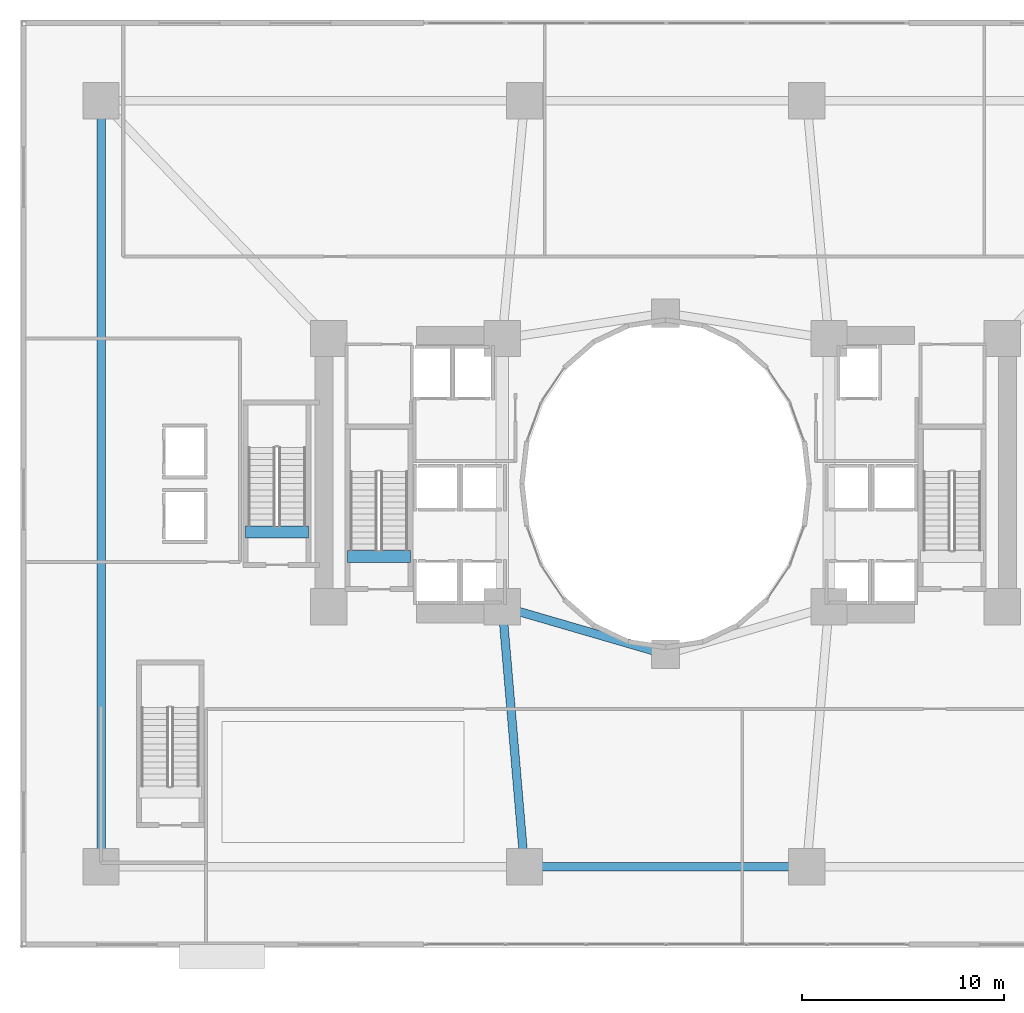
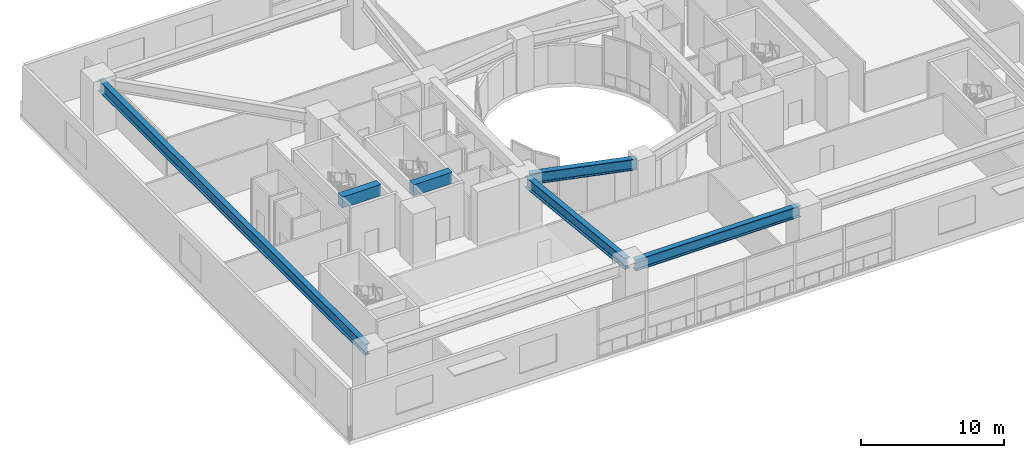
# One storey, part 3 of 25: 6 beams.
"""IFC4 building model written with IfcOpenShell, lengths in metres."""

import ifcopenshell
import ifcopenshell.guid

model = None  # the IFC model being written
_history = None  # IfcOwnerHistory: only IFC2X3 demands one
_inside = {}  # id of a spatial element -> (the spatial element, [elements in it])
_under = {}  # id of a project, library or spatial element -> (it, [spatial elements below it])
_declared = {}  # id of a project -> (the project, [libraries it declares])
_typed = {}  # id of a type object -> (the type object, [elements of that type])
_made_of = {}  # id of a material, layer set ... -> (it, [elements and type objects made of it])


def new_model(schema):
    """Start an empty IFC model of exactly this schema.

    Asked for "IFC4X3", IfcOpenShell would pick the latest addendum, in which some entities
    have other attributes; the version numbers below select the first issue.
    IFC2X3 requires an IfcOwnerHistory on every rooted entity: one is made here for all.
    """
    global model, _history
    if schema == "IFC4X3":
        model = ifcopenshell.file(schema_version=(4, 3, 0, 0))
    else:
        model = ifcopenshell.file(schema=schema)
    _inside.clear()
    _under.clear()
    _declared.clear()
    _typed.clear()
    _made_of.clear()
    _history = None
    if model.schema == "IFC2X3":
        org = make("IfcOrganization", Name="unknown")
        user = make(
            "IfcPersonAndOrganization",
            ThePerson=make("IfcPerson", FamilyName="unknown"),
            TheOrganization=org,
        )
        app = make(
            "IfcApplication",
            ApplicationDeveloper=org,
            Version="unknown",
            ApplicationFullName="unknown",
            ApplicationIdentifier="unknown",
        )
        _history = make(
            "IfcOwnerHistory",
            OwningUser=user,
            OwningApplication=app,
            ChangeAction="ADDED",
            CreationDate=0,
        )
    return model


def make(cls, **values):
    """One entity of the class cls with the attributes given. An attribute that is None is left unset."""
    return model.create_entity(
        cls, **{name: value for name, value in values.items() if value is not None}
    )


def rooted(cls, **values):
    """An entity with a GlobalId (a new one), such as an element, a storey or a relation."""
    return make(cls, GlobalId=ifcopenshell.guid.new(), OwnerHistory=_history, **values)


def si_unit(unit_type, name, prefix=None):
    """IfcSIUnit, for example si_unit("LENGTHUNIT", "METRE", prefix="MILLI")."""
    return make("IfcSIUnit", UnitType=unit_type, Prefix=prefix, Name=name)


def assignment(units):
    """IfcUnitAssignment: the units of a project."""
    return None if units is None else make("IfcUnitAssignment", Units=units)


def point(xyz):
    """IfcCartesianPoint."""
    return None if xyz is None else make("IfcCartesianPoint", Coordinates=xyz)


def direction(xyz):
    """IfcDirection."""
    return None if xyz is None else make("IfcDirection", DirectionRatios=xyz)


def frame(location, z_axis=None, x_axis=None):
    """IfcAxis2Placement3D, a coordinate frame: its origin and axes. An axis left out is left unset."""
    return make(
        "IfcAxis2Placement3D",
        Location=point(location),
        Axis=direction(z_axis),
        RefDirection=direction(x_axis),
    )


def frame_2d(location, x_axis=None):
    """IfcAxis2Placement2D, a coordinate frame in the plane: its origin and x axis."""
    return make(
        "IfcAxis2Placement2D", Location=point(location), RefDirection=direction(x_axis)
    )


def origin():
    """The frame at (0, 0, 0) with its axes left unset."""
    return frame((0.0, 0.0, 0.0))


def origin_2d():
    """The frame at (0, 0) in the plane with its x axis left unset."""
    return frame_2d((0.0, 0.0))


def place(relative_to, where):
    """IfcLocalPlacement: puts the frame where relative to a parent placement (None: the world)."""
    return make(
        "IfcLocalPlacement", PlacementRelTo=relative_to, RelativePlacement=where
    )


def context(
    kind, dimensions, precision=None, world=None, true_north=None, identifier=None
):
    """IfcGeometricRepresentationContext, for example the 3D "Model" context."""
    return make(
        "IfcGeometricRepresentationContext",
        ContextIdentifier=identifier,
        ContextType=kind,
        CoordinateSpaceDimension=dimensions,
        Precision=precision,
        WorldCoordinateSystem=world,
        TrueNorth=true_north,
    )


def subcontext(parent, identifier, kind, view, scale=None):
    """IfcGeometricRepresentationSubContext, for example "Body" below "Model"."""
    return make(
        "IfcGeometricRepresentationSubContext",
        ContextIdentifier=identifier,
        ContextType=kind,
        ParentContext=parent,
        TargetScale=scale,
        TargetView=view,
    )


def project(units=None, contexts=None):
    """IfcProject with its units and contexts."""
    return rooted(
        "IfcProject",
        Name="project",
        RepresentationContexts=contexts,
        UnitsInContext=assignment(units),
    )


def spatial(cls, under=None, at=None, **own):
    """A site, building, storey or space (cls), placed at a placement, below another one or the project."""
    s = rooted(cls, ObjectPlacement=at, **own)
    if under is not None:
        _under.setdefault(under.id(), (under, []))[1].append(s)
    return s


def profile(cls, at=None, kind="AREA", **sizes):
    """A parametric profile (cls). Its sizes go by their IFC names, for example OverallWidth=200.0."""
    return make(cls, ProfileType=kind, Position=at, **sizes)


def rectangle(**sizes):
    """IfcRectangleProfileDef."""
    return profile("IfcRectangleProfileDef", **sizes)


def i_section(**sizes):
    """IfcIShapeProfileDef."""
    return profile("IfcIShapeProfileDef", **sizes)


def extrude(swept, where, along, depth):
    """IfcExtrudedAreaSolid: the profile swept, set in the frame where, extruded along a direction by depth."""
    return make(
        "IfcExtrudedAreaSolid",
        SweptArea=swept,
        Position=where,
        ExtrudedDirection=direction(along),
        Depth=depth,
    )


def shape(context_of_items, identifier, shape_type, items):
    """IfcShapeRepresentation: the items that make up one representation, for example the "Body"."""
    return make(
        "IfcShapeRepresentation",
        ContextOfItems=context_of_items,
        RepresentationIdentifier=identifier,
        RepresentationType=shape_type,
        Items=items,
    )


def material(Name=None, Category=None):
    """IfcMaterial."""
    return make("IfcMaterial", Name=Name, Category=Category)


def material_profile(
    of_material, cross_section, Name=None, Category=None, Priority=None
):
    """IfcMaterialProfile: a cross section and its material."""
    return make(
        "IfcMaterialProfile",
        Name=Name,
        Material=of_material,
        Profile=cross_section,
        Priority=Priority,
        Category=Category,
    )


def profile_set(profiles, Name=None, composite=None):
    """IfcMaterialProfileSet."""
    return make(
        "IfcMaterialProfileSet",
        Name=Name,
        MaterialProfiles=profiles,
        CompositeProfile=composite,
    )


def made_of(thing, what):
    """Note that an element or type object is made of a material, layer set ...; save() writes the relation."""
    if what is not None:
        _made_of.setdefault(what.id(), (what, []))[1].append(thing)
    return thing


def type_object(cls, material=None, **own):
    """A type object (cls), such as IfcWallType, which elements share."""
    return made_of(rooted(cls, **own), material)


def element(
    cls,
    number,
    at=None,
    inside=None,
    cuts=None,
    type_object=None,
    material=None,
    context=None,
    identifier="Body",
    shape_type=None,
    held_by="IfcProductDefinitionShape",
    body=None,
    shapes=None,
    **own,
):
    """One element of the class cls, such as IfcWall. Its Tag is "e" and its number.

    at: its placement. inside: the storey or other place that contains it. cuts: it is an
    opening in that element (IfcRelVoidsElement). A single representation is given by context,
    identifier, shape_type and body (its items); several are given by shapes. held_by: the class
    of the entity that holds the representations. save() writes the other relations.
    """
    e = rooted(cls, Tag="e%d" % number, ObjectPlacement=at, **own)
    if body is not None:
        shapes = [shape(context, identifier, shape_type, body)]
    if shapes is not None:
        e.Representation = make(held_by, Representations=shapes)
    if inside is not None:
        _inside.setdefault(inside.id(), (inside, []))[1].append(e)
    if cuts is not None:
        rooted(
            "IfcRelVoidsElement", RelatingBuildingElement=cuts, RelatedOpeningElement=e
        )
    if type_object is not None:
        _typed.setdefault(type_object.id(), (type_object, []))[1].append(e)
    return made_of(e, material)


def aggregate(whole, parts):
    """IfcRelAggregates: a whole, such as a stair, and the parts it consists of."""
    return rooted("IfcRelAggregates", RelatingObject=whole, RelatedObjects=parts)


def save(model, path):
    """Write the relations noted so far, then the file.

    IfcRelAggregates (storeys below a building ...), IfcRelContainedInSpatialStructure (elements
    in a storey), IfcRelDefinesByType, IfcRelAssociatesMaterial and IfcRelDeclares: one each for
    every whole, place, type object, material and project.
    """
    for whole, parts in _under.values():
        aggregate(whole, parts)
    for where, things in _inside.values():
        rooted(
            "IfcRelContainedInSpatialStructure",
            RelatedElements=things,
            RelatingStructure=where,
        )
    for kind, things in _typed.values():
        rooted("IfcRelDefinesByType", RelatedObjects=things, RelatingType=kind)
    for what, things in _made_of.values():
        rooted("IfcRelAssociatesMaterial", RelatedObjects=things, RelatingMaterial=what)
    for by, libraries in _declared.values():
        rooted("IfcRelDeclares", RelatingContext=by, RelatedDefinitions=libraries)
    model.write(path)


model = new_model("IFC4")

# Units and contexts
model_context = context("Model", 3, precision=1e-05, world=origin(), true_north=direction((0.0, 1.0)))
body_context = subcontext(model_context, "Body", "Model", "MODEL_VIEW")
ifc_project = project(units=[si_unit("LENGTHUNIT", "METRE"), si_unit("AREAUNIT", "SQUARE_METRE"), si_unit("VOLUMEUNIT", "CUBIC_METRE"), si_unit("PLANEANGLEUNIT", "RADIAN"), si_unit("MASSUNIT", "GRAM", prefix="KILO")], contexts=[model_context])

# Site, building, storey
site_placement = place(None, origin())
site = spatial("IfcSite", under=ifc_project, at=site_placement, CompositionType="ELEMENT")
building_placement = place(site_placement, origin())
building = spatial("IfcBuilding", under=site, at=building_placement, Name="Solvane Sanctuary Tower", CompositionType="ELEMENT")
storey_placement = place(building_placement, frame((0.0, 0.0, 4.60009765625)))
storey = spatial("IfcBuildingStorey", under=building, at=storey_placement, Name="L02", CompositionType="ELEMENT", Elevation=4.60009765625)

# Beams
ifc_material_1 = material(Name="Concrete C70/85", Category="concrete")
ifc_material_profile_1 = material_profile(ifc_material_1, rectangle(XDim=0.60009765625, YDim=0.949951171875, at=origin_2d()), Name="RC600X950")
ifc_profile_set_1 = profile_set([ifc_material_profile_1], Name="Concrete C70/85")
beam_type_1 = type_object("IfcBeamType", Name="Beam B-COUPLE RC600X950", PredefinedType="LINTEL", material=ifc_profile_set_1)
for number, where, z_axis, x_axis, name in (
    (1, (16.22998046875, 19.399169921875, 4.125), (1.0, 0.0, 0.0), (0.0, 1.0, 0.0), "L02 ST-1 Stair Floor Landing Trimmer"),
    (2, (11.169921875, 20.59912109375, 4.125), (1.0, 0.0, 0.0), (0.0, 1.0, 0.0), "L02 ST-3 Stair Floor Landing Trimmer"),
):
    element("IfcBeam", number, at=place(storey_placement, frame(where, z_axis=z_axis, x_axis=x_axis)), inside=storey, type_object=beam_type_1, Name=name, PredefinedType="LINTEL", context=body_context, shape_type="SweptSolid", body=[
        extrude(rectangle(XDim=0.60009765625, YDim=0.949951171875, at=origin_2d()), origin(), (0.0, 0.0, 1.0), 3.1201171875),
    ])
ifc_material_2 = material(Name="Steel ASTM A913 Grade 65", Category="steel")
ifc_material_profile_2 = material_profile(ifc_material_2, i_section(OverallWidth=0.423095703125, OverallDepth=0.947998046875, WebThickness=0.02392578125, FlangeThickness=0.042724609375, FilletRadius=0.02392578125, at=origin_2d()), Name="W36X302")
ifc_profile_set_2 = profile_set([ifc_material_profile_2], Name="Steel ASTM A913 Grade 65")
beam_type_2 = type_object("IfcBeamType", Name="Beam B-POD-GIRD W36X302", PredefinedType="BEAM", material=ifc_profile_set_2)
beam_1_placement = place(storey_placement, frame((25.35009765625, 4.0, 3.803955078125), z_axis=(1.0, 0.0, 0.0), x_axis=(0.0, 1.0, 0.0)))
element("IfcBeam", 3, at=beam_1_placement, inside=storey, type_object=beam_type_2, Name="L02 Podium Primary Girder PG2", PredefinedType="BEAM", context=body_context, shape_type="SweptSolid", body=[
    extrude(i_section(OverallWidth=0.423095703125, OverallDepth=0.947998046875, WebThickness=0.02392578125, FlangeThickness=0.042724609375, FilletRadius=0.02392578125, at=origin_2d()), origin(), (0.0, 0.0, 1.0), 13.2998046875),
])
beam_2_placement = place(storey_placement, frame((4.0, 41.64990234375, 3.803955078125), z_axis=(0.0, -1.0, 0.0), x_axis=(1.0, 0.0, 0.0)))
element("IfcBeam", 4, at=beam_2_placement, inside=storey, type_object=beam_type_2, Name="L02 Podium Primary Girder PG8", PredefinedType="BEAM", context=body_context, shape_type="SweptSolid", body=[
    extrude(i_section(OverallWidth=0.423095703125, OverallDepth=0.947998046875, WebThickness=0.02392578125, FlangeThickness=0.042724609375, FilletRadius=0.02392578125, at=origin_2d()), origin(), (0.0, 0.0, 1.0), 37.2998046875),
])
beam_3_placement = place(storey_placement, frame((24.97021484375, 4.3486328125, 3.803955078125), z_axis=(-0.084962372295, 0.996384160499, 0.0), x_axis=(-0.996384160499, -0.084962372295, 0.0)))
element("IfcBeam", 5, at=beam_3_placement, inside=storey, type_object=beam_type_2, Name="L02 Podium Primary Girder PG9", PredefinedType="BEAM", context=body_context, shape_type="SweptSolid", body=[
    extrude(i_section(OverallWidth=0.423095703125, OverallDepth=0.947998046875, WebThickness=0.02392578125, FlangeThickness=0.042724609375, FilletRadius=0.02392578125, at=origin_2d()), origin(), (0.0, 0.0, 1.0), 12.246826171875),
])
beam_4_placement = place(storey_placement, frame((24.236083984375, 16.802001953125, 3.803955078125), z_axis=(0.960084424813, -0.279710380987, 0.0), x_axis=(0.279710380987, 0.960084424813, 0.0)))
element("IfcBeam", 6, at=beam_4_placement, inside=storey, type_object=beam_type_2, Name="L02 Podium Primary Girder PG17", PredefinedType="BEAM", context=body_context, shape_type="SweptSolid", body=[
    extrude(i_section(OverallWidth=0.423095703125, OverallDepth=0.947998046875, WebThickness=0.02392578125, FlangeThickness=0.042724609375, FilletRadius=0.02392578125, at=origin_2d()), origin(), (0.0, 0.0, 1.0), 7.73681640625),
])

save(model, "model.ifc")
